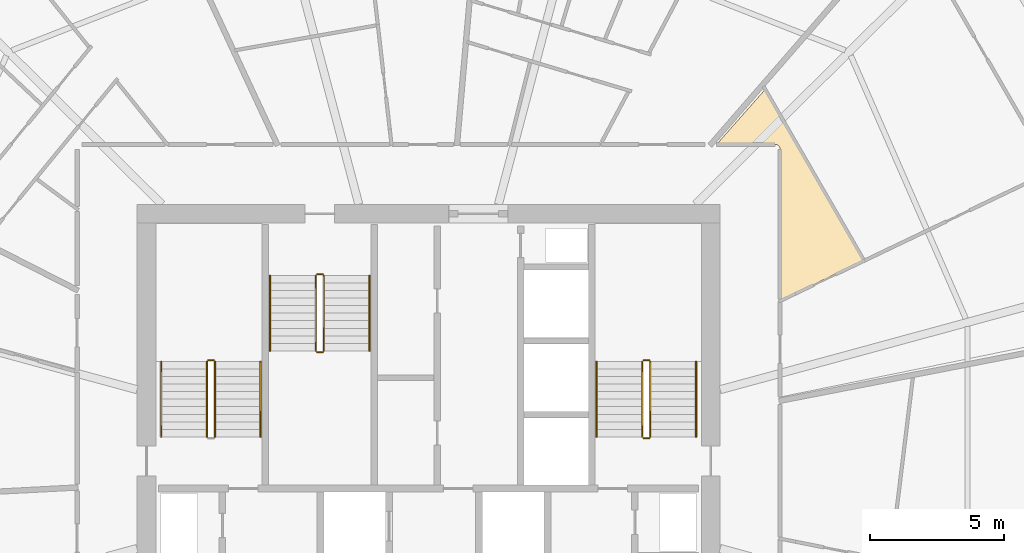
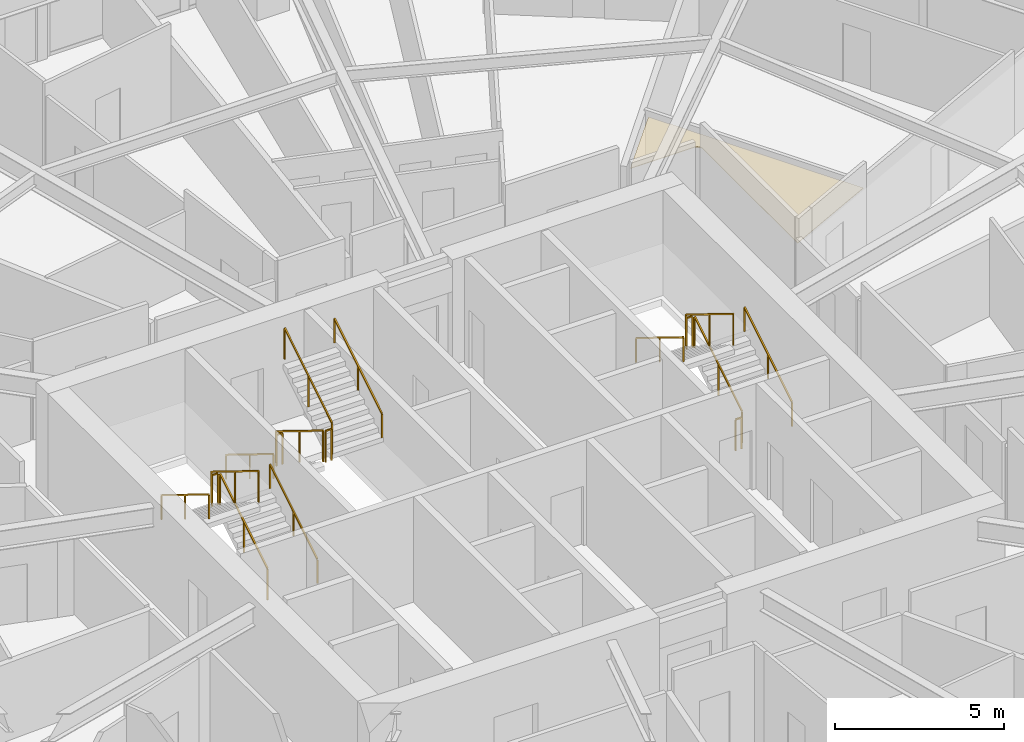
# One storey, part 32 of 33: 17 railings, 1 covering.
"""IFC4 building model written with IfcOpenShell, lengths in metres."""

from ifc_helpers import new_model, si_unit, direction, frame, origin, origin_2d, place, context, subcontext, project, spatial, polyline, rectangle, outline, extrude, material, layer, layer_set, type_object, element, save


model = new_model("IFC4")

# Units and contexts
model_context = context("Model", 3, precision=1e-05, world=origin(), true_north=direction((0.0, 1.0)))
body_context = subcontext(model_context, "Body", "Model", "MODEL_VIEW")
ifc_project = project(units=[si_unit("LENGTHUNIT", "METRE"), si_unit("AREAUNIT", "SQUARE_METRE"), si_unit("VOLUMEUNIT", "CUBIC_METRE"), si_unit("PLANEANGLEUNIT", "RADIAN"), si_unit("MASSUNIT", "GRAM", prefix="KILO")], contexts=[model_context])

# Site, building, storey
site_placement = place(None, origin())
site = spatial("IfcSite", under=ifc_project, at=site_placement, CompositionType="ELEMENT")
building_placement = place(site_placement, origin())
building = spatial("IfcBuilding", under=site, at=building_placement, Name="Zuhravey Tower", CompositionType="ELEMENT")
storey_placement = place(building_placement, frame((0.0, 0.0, 126.60009765625)))
storey = spatial("IfcBuildingStorey", under=building, at=storey_placement, Name="L31", CompositionType="ELEMENT", Elevation=126.60009765625)

# Covering
ifc_material_1 = material(Name="Moisture-resistant gypsum ceiling board")
ifc_layer = layer(ifc_material_1, 0.02001953125)
ifc_layer_set = layer_set([ifc_layer], Name="Moisture-resistant gypsum ceiling board")
covering_type = type_object("IfcCoveringType", Name="Moisture-Resistant Ceiling", PredefinedType="CEILING", material=ifc_layer_set)
covering_placement = place(storey_placement, frame((0.0, 0.0, 2.58984375)))
element("IfcCovering", 1, at=covering_placement, inside=storey, type_object=covering_type, Name="L31 Wet-Room Ceiling CLG2", PredefinedType="CEILING", context=body_context, shape_type="SweptSolid", body=[
    extrude(outline(polyline([(49.0791015625, 43.916748046875), (49.06591796875, 43.9697265625), (49.05029296875, 43.999267578125), (49.028076171875, 44.026611328125), (48.98388671875, 44.05908203125), (48.951416015625, 44.072509765625), (48.916748046875, 44.0791015625), (46.714111328125, 44.080078125), (48.513916015625, 46.1142578125), (52.181884765625, 39.76123046875), (49.080078125, 38.27783203125), (49.0791015625, 43.916748046875)])), origin(), (0.0, 0.0, 1.0), 0.02001953125),
])

# Railings
ifc_material_2 = material(Name="Brushed stainless steel", Category="steel")
railing_type_1 = type_object("IfcRailingType", Name="Stair Wall Handrail 900", PredefinedType="HANDRAIL", material=ifc_material_2)
railing_1_placement = place(storey_placement, frame((29.75, 33.199951171875, 0.172607421875)))
element("IfcRailing", 2, at=railing_1_placement, inside=storey, type_object=railing_type_1, Name="L31 ST1 stair handrail 1", PredefinedType="HANDRAIL", context=body_context, shape_type="SweptSolid", body=[
    extrude(rectangle(XDim=0.048095703125, YDim=0.048095703125, at=origin_2d()), frame((0.0, 0.001708984375, 0.876953125), z_axis=(0.0, 0.851089632645, 0.525020415988), x_axis=(-1.0, 0.0, 0.0)), (0.0, 0.0, 1.0), 3.285888671875),
    extrude(rectangle(XDim=0.0419921875, YDim=0.0419921875, at=origin_2d()), origin(), (0.0, 0.0, 1.0), 0.849853515625),
    extrude(rectangle(XDim=0.0419921875, YDim=0.0419921875, at=origin_2d()), frame((0.0, 1.39990234375, 0.86376953125)), (0.0, 0.0, 1.0), 0.849853515625),
    extrude(rectangle(XDim=0.0419921875, YDim=0.0419921875, at=origin_2d()), frame((0.0, 2.800048828125, 1.727294921875)), (0.0, 0.0, 1.0), 0.849853515625),
])
railing_2_placement = place(storey_placement, frame((26.050048828125, 36.0, 2.072509765625)))
element("IfcRailing", 3, at=railing_2_placement, inside=storey, type_object=railing_type_1, Name="L31 ST1 stair handrail 2", PredefinedType="HANDRAIL", context=body_context, shape_type="SweptSolid", body=[
    extrude(rectangle(XDim=0.048095703125, YDim=0.048095703125, at=origin_2d()), frame((0.0, -0.001708984375, 0.876953125), z_axis=(0.0, -0.851089632645, 0.525020415988), x_axis=(1.0, 0.0, 0.0)), (0.0, 0.0, 1.0), 3.285888671875),
    extrude(rectangle(XDim=0.0419921875, YDim=0.0419921875, at=origin_2d()), origin(), (0.0, 0.0, 1.0), 0.849853515625),
    extrude(rectangle(XDim=0.0419921875, YDim=0.0419921875, at=origin_2d()), frame((0.0, -1.39990234375, 0.86376953125)), (0.0, 0.0, 1.0), 0.849853515625),
    extrude(rectangle(XDim=0.0419921875, YDim=0.0419921875, at=origin_2d()), frame((0.0, -2.800048828125, 1.727294921875)), (0.0, 0.0, 1.0), 0.849853515625),
])
railing_3_placement = place(storey_placement, frame((45.949951171875, 33.199951171875, 0.172607421875)))
element("IfcRailing", 4, at=railing_3_placement, inside=storey, type_object=railing_type_1, Name="L31 ST2 stair handrail 1", PredefinedType="HANDRAIL", context=body_context, shape_type="SweptSolid", body=[
    extrude(rectangle(XDim=0.048095703125, YDim=0.048095703125, at=origin_2d()), frame((0.0, 0.001708984375, 0.876953125), z_axis=(0.0, 0.851089632645, 0.525020415988), x_axis=(-1.0, 0.0, 0.0)), (0.0, 0.0, 1.0), 3.285888671875),
    extrude(rectangle(XDim=0.0419921875, YDim=0.0419921875, at=origin_2d()), origin(), (0.0, 0.0, 1.0), 0.849853515625),
    extrude(rectangle(XDim=0.0419921875, YDim=0.0419921875, at=origin_2d()), frame((0.0, 1.39990234375, 0.86376953125)), (0.0, 0.0, 1.0), 0.849853515625),
    extrude(rectangle(XDim=0.0419921875, YDim=0.0419921875, at=origin_2d()), frame((0.0, 2.800048828125, 1.727294921875)), (0.0, 0.0, 1.0), 0.849853515625),
])
for number, where, name in (
    (5, (42.25, 36.0, 2.072509765625), "L31 ST2 stair handrail 2"),
    (6, (30.10009765625, 39.199951171875, 0.172607421875), "L31 ST3 stair handrail 1"),
):
    element("IfcRailing", number, at=place(storey_placement, frame(where)), inside=storey, type_object=railing_type_1, Name=name, PredefinedType="HANDRAIL", context=body_context, shape_type="SweptSolid", body=[
        extrude(rectangle(XDim=0.048095703125, YDim=0.048095703125, at=origin_2d()), frame((0.0, -0.001708984375, 0.876953125), z_axis=(0.0, -0.851089632645, 0.525020415988), x_axis=(1.0, 0.0, 0.0)), (0.0, 0.0, 1.0), 3.285888671875),
        extrude(rectangle(XDim=0.0419921875, YDim=0.0419921875, at=origin_2d()), origin(), (0.0, 0.0, 1.0), 0.849853515625),
        extrude(rectangle(XDim=0.0419921875, YDim=0.0419921875, at=origin_2d()), frame((0.0, -1.39990234375, 0.86376953125)), (0.0, 0.0, 1.0), 0.849853515625),
        extrude(rectangle(XDim=0.0419921875, YDim=0.0419921875, at=origin_2d()), frame((0.0, -2.800048828125, 1.727294921875)), (0.0, 0.0, 1.0), 0.849853515625),
    ])
railing_4_placement = place(storey_placement, frame((33.800048828125, 36.39990234375, 2.072509765625)))
element("IfcRailing", 7, at=railing_4_placement, inside=storey, type_object=railing_type_1, Name="L31 ST3 stair handrail 2", PredefinedType="HANDRAIL", context=body_context, shape_type="SweptSolid", body=[
    extrude(rectangle(XDim=0.048095703125, YDim=0.048095703125, at=origin_2d()), frame((0.0, 0.001708984375, 0.876953125), z_axis=(0.0, 0.851089632645, 0.525020415988), x_axis=(-1.0, 0.0, 0.0)), (0.0, 0.0, 1.0), 3.285888671875),
    extrude(rectangle(XDim=0.0419921875, YDim=0.0419921875, at=origin_2d()), origin(), (0.0, 0.0, 1.0), 0.849853515625),
    extrude(rectangle(XDim=0.0419921875, YDim=0.0419921875, at=origin_2d()), frame((0.0, 1.39990234375, 0.86376953125)), (0.0, 0.0, 1.0), 0.849853515625),
    extrude(rectangle(XDim=0.0419921875, YDim=0.0419921875, at=origin_2d()), frame((0.0, 2.800048828125, 1.727294921875)), (0.0, 0.0, 1.0), 0.849853515625),
])
ifc_material_3 = material(Name="Painted tubular steel", Category="steel")
railing_type_2 = type_object("IfcRailingType", Name="Stair Well Guardrail 1150", PredefinedType="GUARDRAIL", material=ifc_material_3)
railing_5_placement = place(storey_placement, frame((28.050048828125, 33.199951171875, 0.172607421875)))
element("IfcRailing", 8, at=railing_5_placement, inside=storey, type_object=railing_type_2, Name="L31 ST1 stair guard 1", PredefinedType="GUARDRAIL", context=body_context, shape_type="SweptSolid", body=[
    extrude(rectangle(XDim=0.048095703125, YDim=0.048095703125, at=origin_2d()), frame((0.0, 0.001708984375, 1.126953125), z_axis=(0.0, 0.851089632645, 0.525020415988), x_axis=(-1.0, 0.0, 0.0)), (0.0, 0.0, 1.0), 3.285888671875),
    extrude(rectangle(XDim=0.0419921875, YDim=0.0419921875, at=origin_2d()), origin(), (0.0, 0.0, 1.0), 1.099853515625),
    extrude(rectangle(XDim=0.0419921875, YDim=0.0419921875, at=origin_2d()), frame((0.0, 1.39990234375, 0.86376953125)), (0.0, 0.0, 1.0), 1.099853515625),
    extrude(rectangle(XDim=0.0419921875, YDim=0.0419921875, at=origin_2d()), frame((0.0, 2.800048828125, 1.727294921875)), (0.0, 0.0, 1.0), 1.099853515625),
])
railing_6_placement = place(storey_placement, frame((28.0, 36.050048828125, 1.89990234375)))
element("IfcRailing", 9, at=railing_6_placement, inside=storey, type_object=railing_type_2, Name="L31 ST1 stair guard 2", PredefinedType="GUARDRAIL", context=body_context, shape_type="SweptSolid", body=[
    extrude(rectangle(XDim=0.048095703125, YDim=0.048095703125, at=origin_2d()), frame((-0.001953125, 0.0, 1.1259765625), z_axis=(-1.0, 0.0, 0.0), x_axis=(0.0, -1.0, 0.0)), (0.0, 0.0, 1.0), 0.196044921875),
    extrude(rectangle(XDim=0.0419921875, YDim=0.0419921875, at=origin_2d()), origin(), (0.0, 0.0, 1.0), 1.099853515625),
    extrude(rectangle(XDim=0.0419921875, YDim=0.0419921875, at=origin_2d()), frame((-0.199951171875, 0.0, 0.0)), (0.0, 0.0, 1.0), 1.099853515625),
])
railing_7_placement = place(storey_placement, frame((27.75, 36.0, 2.072509765625)))
element("IfcRailing", 10, at=railing_7_placement, inside=storey, type_object=railing_type_2, Name="L31 ST1 stair guard 3", PredefinedType="GUARDRAIL", context=body_context, shape_type="SweptSolid", body=[
    extrude(rectangle(XDim=0.048095703125, YDim=0.048095703125, at=origin_2d()), frame((0.0, -0.001708984375, 1.126953125), z_axis=(0.0, -0.851089632645, 0.525020415988), x_axis=(1.0, 0.0, 0.0)), (0.0, 0.0, 1.0), 3.285888671875),
    extrude(rectangle(XDim=0.0419921875, YDim=0.0419921875, at=origin_2d()), origin(), (0.0, 0.0, 1.0), 1.099853515625),
    extrude(rectangle(XDim=0.0419921875, YDim=0.0419921875, at=origin_2d()), frame((0.0, -1.39990234375, 0.86376953125)), (0.0, 0.0, 1.0), 1.099853515625),
    extrude(rectangle(XDim=0.0419921875, YDim=0.0419921875, at=origin_2d()), frame((0.0, -2.800048828125, 1.727294921875)), (0.0, 0.0, 1.0), 1.099853515625),
])
railing_8_placement = place(storey_placement, frame((44.25, 33.199951171875, 0.172607421875)))
element("IfcRailing", 11, at=railing_8_placement, inside=storey, type_object=railing_type_2, Name="L31 ST2 stair guard 1", PredefinedType="GUARDRAIL", context=body_context, shape_type="SweptSolid", body=[
    extrude(rectangle(XDim=0.048095703125, YDim=0.048095703125, at=origin_2d()), frame((0.0, 0.001708984375, 1.126953125), z_axis=(0.0, 0.851089632645, 0.525020415988), x_axis=(-1.0, 0.0, 0.0)), (0.0, 0.0, 1.0), 3.285888671875),
    extrude(rectangle(XDim=0.0419921875, YDim=0.0419921875, at=origin_2d()), origin(), (0.0, 0.0, 1.0), 1.099853515625),
    extrude(rectangle(XDim=0.0419921875, YDim=0.0419921875, at=origin_2d()), frame((0.0, 1.39990234375, 0.86376953125)), (0.0, 0.0, 1.0), 1.099853515625),
    extrude(rectangle(XDim=0.0419921875, YDim=0.0419921875, at=origin_2d()), frame((0.0, 2.800048828125, 1.727294921875)), (0.0, 0.0, 1.0), 1.099853515625),
])
railing_9_placement = place(storey_placement, frame((44.199951171875, 36.050048828125, 1.89990234375)))
element("IfcRailing", 12, at=railing_9_placement, inside=storey, type_object=railing_type_2, Name="L31 ST2 stair guard 2", PredefinedType="GUARDRAIL", context=body_context, shape_type="SweptSolid", body=[
    extrude(rectangle(XDim=0.048095703125, YDim=0.048095703125, at=origin_2d()), frame((-0.001953125, 0.0, 1.1259765625), z_axis=(-1.0, 0.0, 0.0), x_axis=(0.0, -1.0, 0.0)), (0.0, 0.0, 1.0), 0.196044921875),
    extrude(rectangle(XDim=0.0419921875, YDim=0.0419921875, at=origin_2d()), origin(), (0.0, 0.0, 1.0), 1.099853515625),
    extrude(rectangle(XDim=0.0419921875, YDim=0.0419921875, at=origin_2d()), frame((-0.199951171875, 0.0, 0.0)), (0.0, 0.0, 1.0), 1.099853515625),
])
railing_10_placement = place(storey_placement, frame((43.949951171875, 36.0, 2.072509765625)))
element("IfcRailing", 13, at=railing_10_placement, inside=storey, type_object=railing_type_2, Name="L31 ST2 stair guard 3", PredefinedType="GUARDRAIL", context=body_context, shape_type="SweptSolid", body=[
    extrude(rectangle(XDim=0.048095703125, YDim=0.048095703125, at=origin_2d()), frame((0.0, -0.001708984375, 1.126953125), z_axis=(0.0, -0.851089632645, 0.525020415988), x_axis=(1.0, 0.0, 0.0)), (0.0, 0.0, 1.0), 3.285888671875),
    extrude(rectangle(XDim=0.0419921875, YDim=0.0419921875, at=origin_2d()), origin(), (0.0, 0.0, 1.0), 1.099853515625),
    extrude(rectangle(XDim=0.0419921875, YDim=0.0419921875, at=origin_2d()), frame((0.0, -1.39990234375, 0.86376953125)), (0.0, 0.0, 1.0), 1.099853515625),
    extrude(rectangle(XDim=0.0419921875, YDim=0.0419921875, at=origin_2d()), frame((0.0, -2.800048828125, 1.727294921875)), (0.0, 0.0, 1.0), 1.099853515625),
])
railing_11_placement = place(storey_placement, frame((44.199951171875, 33.14990234375, 0.0)))
element("IfcRailing", 14, at=railing_11_placement, inside=storey, type_object=railing_type_2, Name="L31 ST2 stair guard 4", PredefinedType="GUARDRAIL", context=body_context, shape_type="SweptSolid", body=[
    extrude(rectangle(XDim=0.048095703125, YDim=0.048095703125, at=origin_2d()), frame((-0.001953125, 0.0, 1.1259765625), z_axis=(-1.0, 0.0, 0.0), x_axis=(0.0, -1.0, 0.0)), (0.0, 0.0, 1.0), 0.196044921875),
    extrude(rectangle(XDim=0.0419921875, YDim=0.0419921875, at=origin_2d()), origin(), (0.0, 0.0, 1.0), 1.099853515625),
    extrude(rectangle(XDim=0.0419921875, YDim=0.0419921875, at=origin_2d()), frame((-0.199951171875, 0.0, 0.0)), (0.0, 0.0, 1.0), 1.099853515625),
])
railing_12_placement = place(storey_placement, frame((31.800048828125, 39.199951171875, 0.172607421875)))
element("IfcRailing", 15, at=railing_12_placement, inside=storey, type_object=railing_type_2, Name="L31 ST3 stair guard 1", PredefinedType="GUARDRAIL", context=body_context, shape_type="SweptSolid", body=[
    extrude(rectangle(XDim=0.048095703125, YDim=0.048095703125, at=origin_2d()), frame((0.0, -0.001708984375, 1.126953125), z_axis=(0.0, -0.851089632645, 0.525020415988), x_axis=(1.0, 0.0, 0.0)), (0.0, 0.0, 1.0), 3.285888671875),
    extrude(rectangle(XDim=0.0419921875, YDim=0.0419921875, at=origin_2d()), origin(), (0.0, 0.0, 1.0), 1.099853515625),
    extrude(rectangle(XDim=0.0419921875, YDim=0.0419921875, at=origin_2d()), frame((0.0, -1.39990234375, 0.86376953125)), (0.0, 0.0, 1.0), 1.099853515625),
    extrude(rectangle(XDim=0.0419921875, YDim=0.0419921875, at=origin_2d()), frame((0.0, -2.800048828125, 1.727294921875)), (0.0, 0.0, 1.0), 1.099853515625),
])
railing_13_placement = place(storey_placement, frame((31.85009765625, 36.35009765625, 1.89990234375)))
element("IfcRailing", 16, at=railing_13_placement, inside=storey, type_object=railing_type_2, Name="L31 ST3 stair guard 2", PredefinedType="GUARDRAIL", context=body_context, shape_type="SweptSolid", body=[
    extrude(rectangle(XDim=0.048095703125, YDim=0.048095703125, at=origin_2d()), frame((0.001953125, 0.0, 1.1259765625), z_axis=(1.0, 0.0, 0.0), x_axis=(0.0, 1.0, 0.0)), (0.0, 0.0, 1.0), 0.196044921875),
    extrude(rectangle(XDim=0.0419921875, YDim=0.0419921875, at=origin_2d()), origin(), (0.0, 0.0, 1.0), 1.099853515625),
    extrude(rectangle(XDim=0.0419921875, YDim=0.0419921875, at=origin_2d()), frame((0.199951171875, 0.0, 0.0)), (0.0, 0.0, 1.0), 1.099853515625),
])
railing_14_placement = place(storey_placement, frame((32.10009765625, 36.39990234375, 2.072509765625)))
element("IfcRailing", 17, at=railing_14_placement, inside=storey, type_object=railing_type_2, Name="L31 ST3 stair guard 3", PredefinedType="GUARDRAIL", context=body_context, shape_type="SweptSolid", body=[
    extrude(rectangle(XDim=0.048095703125, YDim=0.048095703125, at=origin_2d()), frame((0.0, 0.001708984375, 1.126953125), z_axis=(0.0, 0.851089632645, 0.525020415988), x_axis=(-1.0, 0.0, 0.0)), (0.0, 0.0, 1.0), 3.285888671875),
    extrude(rectangle(XDim=0.0419921875, YDim=0.0419921875, at=origin_2d()), origin(), (0.0, 0.0, 1.0), 1.099853515625),
    extrude(rectangle(XDim=0.0419921875, YDim=0.0419921875, at=origin_2d()), frame((0.0, 1.39990234375, 0.86376953125)), (0.0, 0.0, 1.0), 1.099853515625),
    extrude(rectangle(XDim=0.0419921875, YDim=0.0419921875, at=origin_2d()), frame((0.0, 2.800048828125, 1.727294921875)), (0.0, 0.0, 1.0), 1.099853515625),
])
railing_15_placement = place(storey_placement, frame((31.85009765625, 39.25, 0.0)))
element("IfcRailing", 18, at=railing_15_placement, inside=storey, type_object=railing_type_2, Name="L31 ST3 stair guard 4", PredefinedType="GUARDRAIL", context=body_context, shape_type="SweptSolid", body=[
    extrude(rectangle(XDim=0.048095703125, YDim=0.048095703125, at=origin_2d()), frame((0.001953125, 0.0, 1.1259765625), z_axis=(1.0, 0.0, 0.0), x_axis=(0.0, 1.0, 0.0)), (0.0, 0.0, 1.0), 0.196044921875),
    extrude(rectangle(XDim=0.0419921875, YDim=0.0419921875, at=origin_2d()), origin(), (0.0, 0.0, 1.0), 1.099853515625),
    extrude(rectangle(XDim=0.0419921875, YDim=0.0419921875, at=origin_2d()), frame((0.199951171875, 0.0, 0.0)), (0.0, 0.0, 1.0), 1.099853515625),
])

save(model, "model.ifc")
